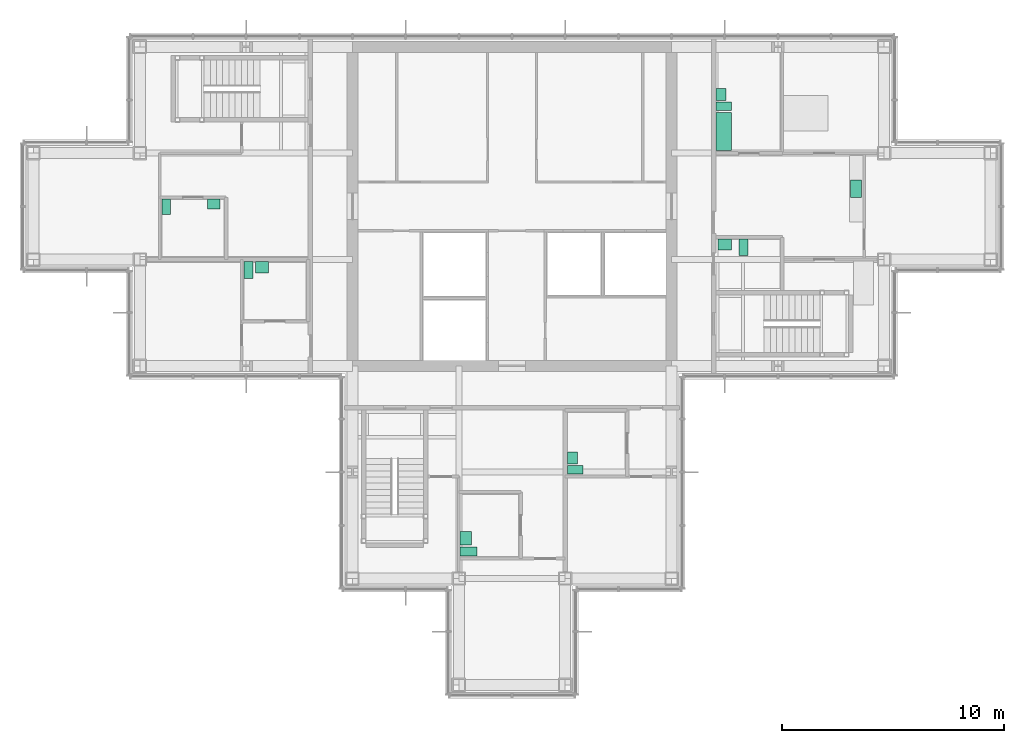
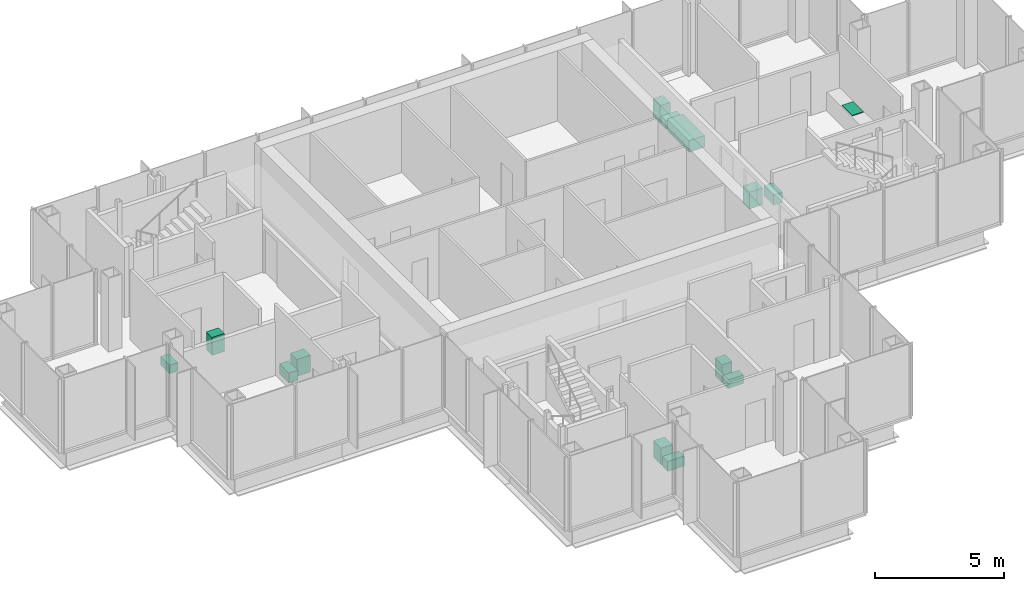
# One storey, part 14 of 15: 14 sanitary terminals.
"""IFC4 building model written with IfcOpenShell, lengths in metres."""

import ifcopenshell
import ifcopenshell.guid

model = None  # the IFC model being written
_history = None  # IfcOwnerHistory: only IFC2X3 demands one
_inside = {}  # id of a spatial element -> (the spatial element, [elements in it])
_under = {}  # id of a project, library or spatial element -> (it, [spatial elements below it])
_declared = {}  # id of a project -> (the project, [libraries it declares])
_typed = {}  # id of a type object -> (the type object, [elements of that type])
_made_of = {}  # id of a material, layer set ... -> (it, [elements and type objects made of it])


def new_model(schema):
    """Start an empty IFC model of exactly this schema.

    Asked for "IFC4X3", IfcOpenShell would pick the latest addendum, in which some entities
    have other attributes; the version numbers below select the first issue.
    IFC2X3 requires an IfcOwnerHistory on every rooted entity: one is made here for all.
    """
    global model, _history
    if schema == "IFC4X3":
        model = ifcopenshell.file(schema_version=(4, 3, 0, 0))
    else:
        model = ifcopenshell.file(schema=schema)
    _inside.clear()
    _under.clear()
    _declared.clear()
    _typed.clear()
    _made_of.clear()
    _history = None
    if model.schema == "IFC2X3":
        org = make("IfcOrganization", Name="unknown")
        user = make(
            "IfcPersonAndOrganization",
            ThePerson=make("IfcPerson", FamilyName="unknown"),
            TheOrganization=org,
        )
        app = make(
            "IfcApplication",
            ApplicationDeveloper=org,
            Version="unknown",
            ApplicationFullName="unknown",
            ApplicationIdentifier="unknown",
        )
        _history = make(
            "IfcOwnerHistory",
            OwningUser=user,
            OwningApplication=app,
            ChangeAction="ADDED",
            CreationDate=0,
        )
    return model


def make(cls, **values):
    """One entity of the class cls with the attributes given. An attribute that is None is left unset."""
    return model.create_entity(
        cls, **{name: value for name, value in values.items() if value is not None}
    )


def rooted(cls, **values):
    """An entity with a GlobalId (a new one), such as an element, a storey or a relation."""
    return make(cls, GlobalId=ifcopenshell.guid.new(), OwnerHistory=_history, **values)


def si_unit(unit_type, name, prefix=None):
    """IfcSIUnit, for example si_unit("LENGTHUNIT", "METRE", prefix="MILLI")."""
    return make("IfcSIUnit", UnitType=unit_type, Prefix=prefix, Name=name)


def assignment(units):
    """IfcUnitAssignment: the units of a project."""
    return None if units is None else make("IfcUnitAssignment", Units=units)


def point(xyz):
    """IfcCartesianPoint."""
    return None if xyz is None else make("IfcCartesianPoint", Coordinates=xyz)


def direction(xyz):
    """IfcDirection."""
    return None if xyz is None else make("IfcDirection", DirectionRatios=xyz)


def frame(location, z_axis=None, x_axis=None):
    """IfcAxis2Placement3D, a coordinate frame: its origin and axes. An axis left out is left unset."""
    return make(
        "IfcAxis2Placement3D",
        Location=point(location),
        Axis=direction(z_axis),
        RefDirection=direction(x_axis),
    )


def frame_2d(location, x_axis=None):
    """IfcAxis2Placement2D, a coordinate frame in the plane: its origin and x axis."""
    return make(
        "IfcAxis2Placement2D", Location=point(location), RefDirection=direction(x_axis)
    )


def origin():
    """The frame at (0, 0, 0) with its axes left unset."""
    return frame((0.0, 0.0, 0.0))


def origin_2d():
    """The frame at (0, 0) in the plane with its x axis left unset."""
    return frame_2d((0.0, 0.0))


def place(relative_to, where):
    """IfcLocalPlacement: puts the frame where relative to a parent placement (None: the world)."""
    return make(
        "IfcLocalPlacement", PlacementRelTo=relative_to, RelativePlacement=where
    )


def context(
    kind, dimensions, precision=None, world=None, true_north=None, identifier=None
):
    """IfcGeometricRepresentationContext, for example the 3D "Model" context."""
    return make(
        "IfcGeometricRepresentationContext",
        ContextIdentifier=identifier,
        ContextType=kind,
        CoordinateSpaceDimension=dimensions,
        Precision=precision,
        WorldCoordinateSystem=world,
        TrueNorth=true_north,
    )


def subcontext(parent, identifier, kind, view, scale=None):
    """IfcGeometricRepresentationSubContext, for example "Body" below "Model"."""
    return make(
        "IfcGeometricRepresentationSubContext",
        ContextIdentifier=identifier,
        ContextType=kind,
        ParentContext=parent,
        TargetScale=scale,
        TargetView=view,
    )


def project(units=None, contexts=None):
    """IfcProject with its units and contexts."""
    return rooted(
        "IfcProject",
        Name="project",
        RepresentationContexts=contexts,
        UnitsInContext=assignment(units),
    )


def spatial(cls, under=None, at=None, **own):
    """A site, building, storey or space (cls), placed at a placement, below another one or the project."""
    s = rooted(cls, ObjectPlacement=at, **own)
    if under is not None:
        _under.setdefault(under.id(), (under, []))[1].append(s)
    return s


def profile(cls, at=None, kind="AREA", **sizes):
    """A parametric profile (cls). Its sizes go by their IFC names, for example OverallWidth=200.0."""
    return make(cls, ProfileType=kind, Position=at, **sizes)


def rectangle(**sizes):
    """IfcRectangleProfileDef."""
    return profile("IfcRectangleProfileDef", **sizes)


def extrude(swept, where, along, depth):
    """IfcExtrudedAreaSolid: the profile swept, set in the frame where, extruded along a direction by depth."""
    return make(
        "IfcExtrudedAreaSolid",
        SweptArea=swept,
        Position=where,
        ExtrudedDirection=direction(along),
        Depth=depth,
    )


def shape(context_of_items, identifier, shape_type, items):
    """IfcShapeRepresentation: the items that make up one representation, for example the "Body"."""
    return make(
        "IfcShapeRepresentation",
        ContextOfItems=context_of_items,
        RepresentationIdentifier=identifier,
        RepresentationType=shape_type,
        Items=items,
    )


def material(Name=None, Category=None):
    """IfcMaterial."""
    return make("IfcMaterial", Name=Name, Category=Category)


def made_of(thing, what):
    """Note that an element or type object is made of a material, layer set ...; save() writes the relation."""
    if what is not None:
        _made_of.setdefault(what.id(), (what, []))[1].append(thing)
    return thing


def type_object(cls, material=None, **own):
    """A type object (cls), such as IfcWallType, which elements share."""
    return made_of(rooted(cls, **own), material)


def element(
    cls,
    number,
    at=None,
    inside=None,
    cuts=None,
    type_object=None,
    material=None,
    context=None,
    identifier="Body",
    shape_type=None,
    held_by="IfcProductDefinitionShape",
    body=None,
    shapes=None,
    **own,
):
    """One element of the class cls, such as IfcWall. Its Tag is "e" and its number.

    at: its placement. inside: the storey or other place that contains it. cuts: it is an
    opening in that element (IfcRelVoidsElement). A single representation is given by context,
    identifier, shape_type and body (its items); several are given by shapes. held_by: the class
    of the entity that holds the representations. save() writes the other relations.
    """
    e = rooted(cls, Tag="e%d" % number, ObjectPlacement=at, **own)
    if body is not None:
        shapes = [shape(context, identifier, shape_type, body)]
    if shapes is not None:
        e.Representation = make(held_by, Representations=shapes)
    if inside is not None:
        _inside.setdefault(inside.id(), (inside, []))[1].append(e)
    if cuts is not None:
        rooted(
            "IfcRelVoidsElement", RelatingBuildingElement=cuts, RelatedOpeningElement=e
        )
    if type_object is not None:
        _typed.setdefault(type_object.id(), (type_object, []))[1].append(e)
    return made_of(e, material)


def aggregate(whole, parts):
    """IfcRelAggregates: a whole, such as a stair, and the parts it consists of."""
    return rooted("IfcRelAggregates", RelatingObject=whole, RelatedObjects=parts)


def save(model, path):
    """Write the relations noted so far, then the file.

    IfcRelAggregates (storeys below a building ...), IfcRelContainedInSpatialStructure (elements
    in a storey), IfcRelDefinesByType, IfcRelAssociatesMaterial and IfcRelDeclares: one each for
    every whole, place, type object, material and project.
    """
    for whole, parts in _under.values():
        aggregate(whole, parts)
    for where, things in _inside.values():
        rooted(
            "IfcRelContainedInSpatialStructure",
            RelatedElements=things,
            RelatingStructure=where,
        )
    for kind, things in _typed.values():
        rooted("IfcRelDefinesByType", RelatedObjects=things, RelatingType=kind)
    for what, things in _made_of.values():
        rooted("IfcRelAssociatesMaterial", RelatedObjects=things, RelatingMaterial=what)
    for by, libraries in _declared.values():
        rooted("IfcRelDeclares", RelatingContext=by, RelatedDefinitions=libraries)
    model.write(path)


model = new_model("IFC4")

# Units and contexts
model_context = context("Model", 3, precision=1e-05, world=origin(), true_north=direction((0.0, 1.0)))
body_context = subcontext(model_context, "Body", "Model", "MODEL_VIEW")
ifc_project = project(units=[si_unit("LENGTHUNIT", "METRE"), si_unit("AREAUNIT", "SQUARE_METRE"), si_unit("VOLUMEUNIT", "CUBIC_METRE"), si_unit("PLANEANGLEUNIT", "RADIAN"), si_unit("MASSUNIT", "GRAM", prefix="KILO")], contexts=[model_context])

# Site, building, storey
site_placement = place(None, origin())
site = spatial("IfcSite", under=ifc_project, at=site_placement, CompositionType="ELEMENT")
building_placement = place(site_placement, origin())
building = spatial("IfcBuilding", under=site, at=building_placement, Name="Kvirike Care Tower", CompositionType="ELEMENT")
storey_placement = place(building_placement, frame((0.0, 0.0, 226.0)))
storey = spatial("IfcBuildingStorey", under=building, at=storey_placement, Name="L62", CompositionType="ELEMENT", Elevation=226.0)

# Sanitary terminals
ifc_material_1 = material(Name="Vitreous china", Category="ceramic")
sanitary_terminal_type_1 = type_object("IfcSanitaryTerminalType", Name="ACCESSIBLE WASH BASIN 600 x 500", PredefinedType="WASHHANDBASIN", material=ifc_material_1)
for number, where, z_axis, x_axis, name in (
    (1, (10.31005859375, 33.248046875, 0.02001953125), (0.0, 0.0, 1.0), (1.0, 0.0, 0.0), "Accessible wash basin L62-007"),
    (2, (19.511962890625, 21.010009765625, 0.02001953125), (0.0, 0.0, 1.0), (0.0, 1.0, 0.0), "Accessible wash basin L62-013"),
    (3, (31.199951171875, 34.27294921875, 0.02001953125), (0.0, 0.0, 1.0), (1.0, 0.0, 0.0), "Accessible wash basin L62-023"),
):
    element("IfcSanitaryTerminal", number, at=place(storey_placement, frame(where, z_axis=z_axis, x_axis=x_axis)), inside=storey, type_object=sanitary_terminal_type_1, Name=name, PredefinedType="WASHHANDBASIN", context=body_context, shape_type="SweptSolid", body=[
        extrude(rectangle(XDim=0.60009765625, YDim=0.5, at=origin_2d()), origin(), (0.0, 0.0, 1.0), 0.800048828125),
    ])
ifc_material_2 = material(Name="Vitreous china", Category="ceramic")
sanitary_terminal_type_2 = type_object("IfcSanitaryTerminalType", Name="ACCESSIBLE WC PAN 400 x 750", PredefinedType="TOILETPAN", material=ifc_material_2)
for number, where, z_axis, x_axis, name in (
    (4, (9.7099609375, 33.123046875, 0.02001953125), (0.0, 0.0, 1.0), (1.0, 0.0, 0.0), "Accessible WC pan L62-007"),
    (5, (19.636962890625, 20.409912109375, 0.02001953125), (0.0, 0.0, 1.0), (0.0, 1.0, 0.0), "Accessible WC pan L62-013"),
    (6, (32.050048828125, 34.14794921875, 0.02001953125), (0.0, 0.0, 1.0), (1.0, 0.0, 0.0), "Accessible WC pan L62-023"),
):
    element("IfcSanitaryTerminal", number, at=place(storey_placement, frame(where, z_axis=z_axis, x_axis=x_axis)), inside=storey, type_object=sanitary_terminal_type_2, Name=name, PredefinedType="TOILETPAN", context=body_context, shape_type="SweptSolid", body=[
        extrude(rectangle(XDim=0.39990234375, YDim=0.75, at=origin_2d()), origin(), (0.0, 0.0, 1.0), 0.47998046875),
    ])
ifc_material_3 = material(Name="Enamelled steel", Category="steel")
sanitary_terminal_type_3 = type_object("IfcSanitaryTerminalType", Name="BATH 1700 x 700", PredefinedType="BATH", material=ifc_material_3)
sanitary_terminal_1_placement = place(storey_placement, frame((31.152099609375, 39.375, 0.02001953125), z_axis=(0.0, 0.0, 1.0), x_axis=(0.0, 1.0, 0.0)))
element("IfcSanitaryTerminal", 7, at=sanitary_terminal_1_placement, inside=storey, type_object=sanitary_terminal_type_3, Name="Bath L62-024", PredefinedType="BATH", context=body_context, shape_type="SweptSolid", body=[
    extrude(rectangle(XDim=1.699951171875, YDim=0.699951171875, at=origin_2d()), origin(), (0.0, 0.0, 1.0), 0.550048828125),
])
ifc_material_4 = material(Name="Stainless steel", Category="steel")
sanitary_terminal_type_4 = type_object("IfcSanitaryTerminalType", Name="KITCHEN SINK 800 x 500", PredefinedType="SINK", material=ifc_material_4)
sanitary_terminal_2_placement = place(storey_placement, frame((37.137939453125, 36.7900390625, 0.89990234375), z_axis=(0.0, 0.0, 1.0), x_axis=(0.0, -1.0, 0.0)))
element("IfcSanitaryTerminal", 8, at=sanitary_terminal_2_placement, inside=storey, type_object=sanitary_terminal_type_4, Name="Kitchen sink L62-025", PredefinedType="SINK", context=body_context, shape_type="SweptSolid", body=[
    extrude(rectangle(XDim=0.800048828125, YDim=0.5, at=origin_2d()), origin(), (0.0, 0.0, 1.0), 0.030029296875),
])
ifc_material_5 = material(Name="Vitreous china", Category="ceramic")
sanitary_terminal_type_5 = type_object("IfcSanitaryTerminalType", Name="WASH BASIN 550 x 450", PredefinedType="WASHHANDBASIN", material=ifc_material_5)
for number, where, z_axis, x_axis, name in (
    (9, (8.135009765625, 36.097900390625, 0.02001953125), (0.0, 0.0, 1.0), (1.0, 0.0, 0.0), "Wash basin L62-004"),
    (10, (24.326904296875, 24.635009765625, 0.02001953125), (0.0, 0.0, 1.0), (0.0, 1.0, 0.0), "Wash basin L62-016"),
    (11, (31.027099609375, 41.050048828125, 0.02001953125), (0.0, 0.0, 1.0), (0.0, 1.0, 0.0), "Wash basin L62-024"),
):
    element("IfcSanitaryTerminal", number, at=place(storey_placement, frame(where, z_axis=z_axis, x_axis=x_axis)), inside=storey, type_object=sanitary_terminal_type_5, Name=name, PredefinedType="WASHHANDBASIN", context=body_context, shape_type="SweptSolid", body=[
        extrude(rectangle(XDim=0.550048828125, YDim=0.449951171875, at=origin_2d()), origin(), (0.0, 0.0, 1.0), 0.85009765625),
    ])
ifc_material_6 = material(Name="Vitreous china", Category="ceramic")
sanitary_terminal_type_6 = type_object("IfcSanitaryTerminalType", Name="WC PAN 380 x 700", PredefinedType="TOILETPAN", material=ifc_material_6)
for number, where, z_axis, x_axis, name in (
    (12, (6.0, 35.972900390625, 0.02001953125), (0.0, 0.0, 1.0), (1.0, 0.0, 0.0), "WC pan L62-004"),
    (13, (24.451904296875, 24.10009765625, 0.02001953125), (0.0, 0.0, 1.0), (0.0, 1.0, 0.0), "WC pan L62-016"),
    (14, (31.152099609375, 40.514892578125, 0.02001953125), (0.0, 0.0, 1.0), (0.0, 1.0, 0.0), "WC pan L62-024"),
):
    element("IfcSanitaryTerminal", number, at=place(storey_placement, frame(where, z_axis=z_axis, x_axis=x_axis)), inside=storey, type_object=sanitary_terminal_type_6, Name=name, PredefinedType="TOILETPAN", context=body_context, shape_type="SweptSolid", body=[
        extrude(rectangle(XDim=0.3798828125, YDim=0.699951171875, at=origin_2d()), origin(), (0.0, 0.0, 1.0), 0.39990234375),
    ])

save(model, "model.ifc")
